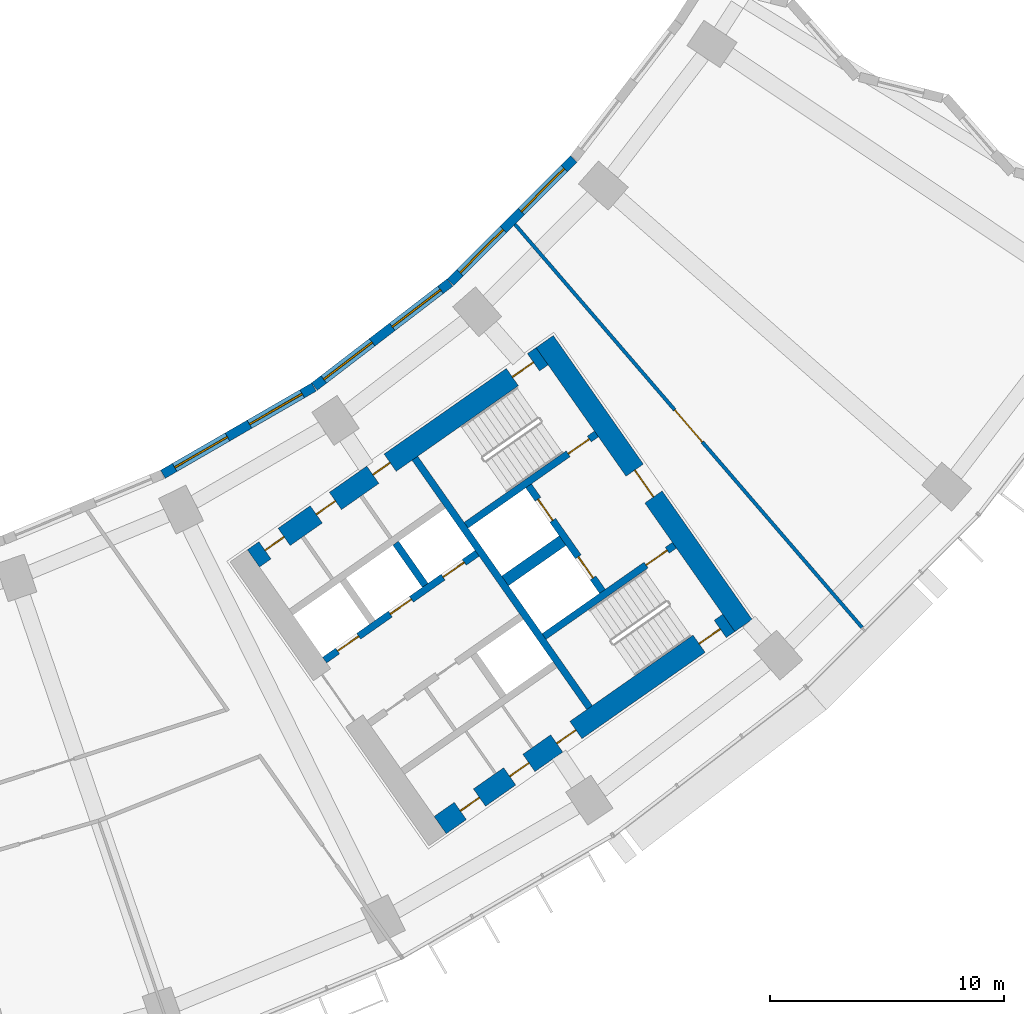
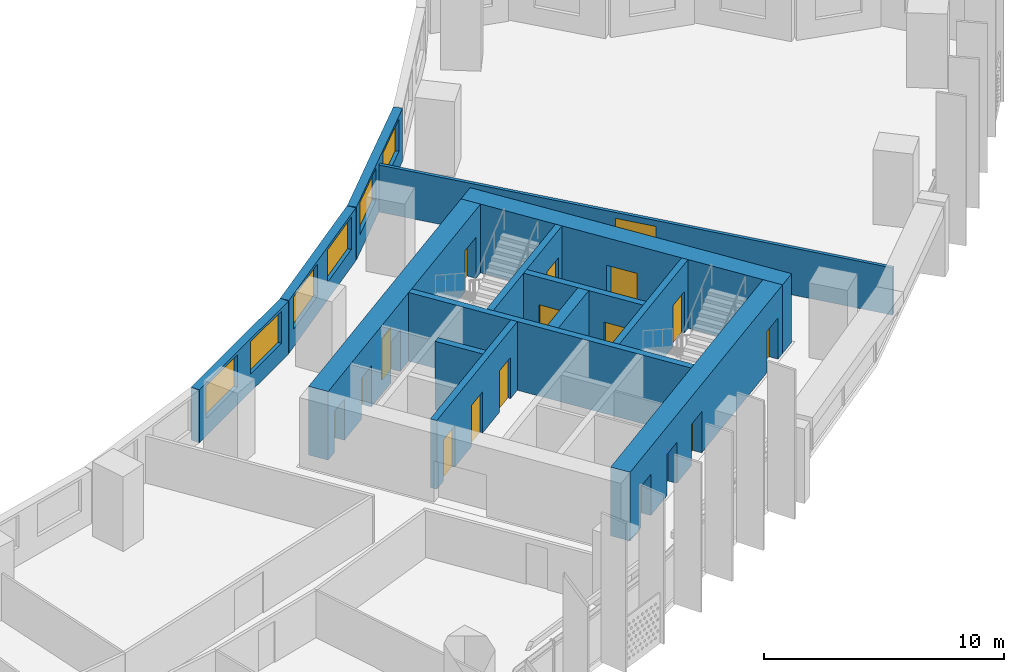
# One storey, part 7 of 32: 17 doors, 14 walls, 6 windows, 23 openings.
"""IFC4 building model written with IfcOpenShell, lengths in metres."""

from ifc_helpers import new_model, si_unit, direction, frame, frame_2d, origin, place, context, subcontext, project, spatial, rectangle, extrude, material, layer, layer_set, type_object, element, fill, save


model = new_model("IFC4")

# Units and contexts
model_context = context("Model", 3, precision=1e-05, world=origin(), true_north=direction((0.0, 1.0)))
body_context = subcontext(model_context, "Body", "Model", "MODEL_VIEW")
ifc_project = project(units=[si_unit("LENGTHUNIT", "METRE"), si_unit("AREAUNIT", "SQUARE_METRE"), si_unit("VOLUMEUNIT", "CUBIC_METRE"), si_unit("PLANEANGLEUNIT", "RADIAN"), si_unit("MASSUNIT", "GRAM", prefix="KILO")], contexts=[model_context])

# Site, building, storey
site_placement = place(None, origin())
site = spatial("IfcSite", under=ifc_project, at=site_placement, CompositionType="ELEMENT")
building_placement = place(site_placement, origin())
building = spatial("IfcBuilding", under=site, at=building_placement, Name="Qamariyya Broadcast Tower", CompositionType="ELEMENT")
storey_placement = place(building_placement, frame((0.0, 0.0, 70.89990234375)))
storey = spatial("IfcBuildingStorey", under=building, at=storey_placement, Name="L14", CompositionType="ELEMENT", Elevation=70.89990234375)

# Wall, opening, door
ifc_material_1 = material(Name="Concrete C70/85", Category="concrete")
ifc_layer_1 = layer(ifc_material_1, 0.89990234375)
ifc_layer_set_1 = layer_set([ifc_layer_1], Name="Core wall 900 mm Concrete C70/85")
wall_type_1 = type_object("IfcWallType", Name="Core wall 900 mm Concrete C70/85", PredefinedType="SHEAR", material=ifc_layer_set_1)
wall_1_placement = place(storey_placement, frame((49.778564453125, -57.191162109375, 0.0), z_axis=(0.0, 0.0, 1.0), x_axis=(-0.573577477574, 0.819151315216, 0.0)))
wall_1 = element("IfcWall", 1, at=wall_1_placement, inside=storey, type_object=wall_type_1, Name="k-E-L14-WH", PredefinedType="SHEAR", context=body_context, shape_type="SweptSolid", body=[
    extrude(rectangle(XDim=14.800048828125, YDim=0.89990234375, at=frame_2d((7.39990234375, 0.0))), origin(), (0.0, 0.0, 1.0), 3.5),
])
opening_1_placement = place(wall_1_placement, frame((6.699951171875, 0.0, 0.0)))
opening_1 = element("IfcOpeningElement", 2, at=opening_1_placement, cuts=wall_1, Name="Opening KD2-E1", PredefinedType="OPENING", context=body_context, shape_type="SweptSolid", body=[
    extrude(rectangle(XDim=1.39990234375, YDim=2.10009765625, at=frame_2d((0.699951171875, 1.050048828125))), frame((0.0, 0.4599609375, 0.0), z_axis=(0.0, -1.0, 0.0), x_axis=(1.0, 0.0, 0.0)), (0.0, 0.0, 1.0), 0.919921875),
])
ifc_material_2 = material(Name="Steel fire-resisting door leaf", Category="steel")
door_type_1 = type_object("IfcDoorType", Name="Fire-fighting lobby door KD2", OperationType="DOUBLE_DOOR_SINGLE_SWING", PredefinedType="DOOR", material=ifc_material_2)
door_1_placement = place(opening_1_placement, origin())
door_1 = element("IfcDoor", 3, at=door_1_placement, inside=storey, type_object=door_type_1, Name="k-E-L14-WH-D15", OperationType="DOUBLE_DOOR_SINGLE_SWING", OverallHeight=2.10009765625, OverallWidth=1.39990234375, PredefinedType="DOOR", context=body_context, shape_type="SweptSolid", body=[
    extrude(rectangle(XDim=1.39990234375, YDim=2.10009765625, at=frame_2d((0.699951171875, 1.050048828125))), frame((0.0, 0.02490234375, 0.0), z_axis=(0.0, -1.0, 0.0), x_axis=(1.0, 0.0, 0.0)), (0.0, 0.0, 1.0), 0.050048828125),
])
fill(opening_1, door_1)

# Wall, openings, doors
wall_2_placement = place(storey_placement, frame((28.8544921875, -54.32421875, 0.0), z_axis=(0.0, 0.0, 1.0), x_axis=(0.819145767589, 0.573585400304, 0.0)))
wall_2 = element("IfcWall", 4, at=wall_2_placement, inside=storey, type_object=wall_type_1, Name="k-E-L14-WI", PredefinedType="SHEAR", context=body_context, shape_type="SweptSolid", body=[
    extrude(rectangle(XDim=15.04541015625, YDim=0.89990234375, at=frame_2d((7.522705078125, 0.0))), origin(), (0.0, 0.0, 1.0), 3.5),
])
opening_2_placement = place(wall_2_placement, frame((0.60009765625, 0.0, 0.0)))
opening_2 = element("IfcOpeningElement", 5, at=opening_2_placement, cuts=wall_2, Name="Opening KD7-E1", PredefinedType="OPENING", context=body_context, shape_type="SweptSolid", body=[
    extrude(rectangle(XDim=1.0, YDim=2.10009765625, at=frame_2d((0.5, 1.050048828125))), frame((0.0, 0.4599609375, 0.0), z_axis=(0.0, -1.0, 0.0), x_axis=(1.0, 0.0, 0.0)), (0.0, 0.0, 1.0), 0.919921875),
])
opening_3_placement = place(wall_2_placement, frame((3.27490234375, 0.0, 0.0)))
opening_3 = element("IfcOpeningElement", 6, at=opening_3_placement, cuts=wall_2, Name="Opening KD6-E2", PredefinedType="OPENING", context=body_context, shape_type="SweptSolid", body=[
    extrude(rectangle(XDim=1.0, YDim=2.10009765625, at=frame_2d((0.5, 1.050048828125))), frame((0.0, 0.4599609375, 0.0), z_axis=(0.0, -1.0, 0.0), x_axis=(1.0, 0.0, 0.0)), (0.0, 0.0, 1.0), 0.919921875),
])
opening_4_placement = place(wall_2_placement, frame((6.22509765625, 0.0, 0.0)))
opening_4 = element("IfcOpeningElement", 7, at=opening_4_placement, cuts=wall_2, Name="Opening KD5-E1", PredefinedType="OPENING", context=body_context, shape_type="SweptSolid", body=[
    extrude(rectangle(XDim=0.89990234375, YDim=2.10009765625, at=frame_2d((0.449951171875, 1.050048828125))), frame((0.0, 0.4599609375, 0.0), z_axis=(0.0, -1.0, 0.0), x_axis=(1.0, 0.0, 0.0)), (0.0, 0.0, 1.0), 0.919921875),
])
opening_5_placement = place(wall_2_placement, frame((13.495361328125, 0.0, 0.0)))
opening_5 = element("IfcOpeningElement", 8, at=opening_5_placement, cuts=wall_2, Name="Opening KD1-E1", PredefinedType="OPENING", context=body_context, shape_type="SweptSolid", body=[
    extrude(rectangle(XDim=1.10009765625, YDim=2.10009765625, at=frame_2d((0.550048828125, 1.050048828125))), frame((0.0, 0.4599609375, 0.0), z_axis=(0.0, -1.0, 0.0), x_axis=(1.0, 0.0, 0.0)), (0.0, 0.0, 1.0), 0.919921875),
])
door_type_2 = type_object("IfcDoorType", Name="Accessible toilet door KD7", OperationType="SINGLE_SWING_LEFT", PredefinedType="DOOR", material=ifc_material_2)
door_2_placement = place(opening_2_placement, origin())
door_2 = element("IfcDoor", 9, at=door_2_placement, inside=storey, type_object=door_type_2, Name="k-E-L14-WI-D7", OperationType="SINGLE_SWING_LEFT", OverallHeight=2.10009765625, OverallWidth=1.0, PredefinedType="DOOR", context=body_context, shape_type="SweptSolid", body=[
    extrude(rectangle(XDim=1.0, YDim=2.10009765625, at=frame_2d((0.5, 1.050048828125))), frame((0.0, 0.02490234375, 0.0), z_axis=(0.0, -1.0, 0.0), x_axis=(1.0, 0.0, 0.0)), (0.0, 0.0, 1.0), 0.050048828125),
])
fill(opening_2, door_2)
door_type_3 = type_object("IfcDoorType", Name="Core room door KD6", OperationType="SINGLE_SWING_LEFT", PredefinedType="DOOR", material=ifc_material_2)
door_3_placement = place(opening_3_placement, origin())
door_3 = element("IfcDoor", 10, at=door_3_placement, inside=storey, type_object=door_type_3, Name="k-E-L14-WI-D8", OperationType="SINGLE_SWING_RIGHT", OverallHeight=2.10009765625, OverallWidth=1.0, PredefinedType="DOOR", context=body_context, shape_type="SweptSolid", body=[
    extrude(rectangle(XDim=1.0, YDim=2.10009765625, at=frame_2d((0.5, 1.050048828125))), frame((0.0, 0.02490234375, 0.0), z_axis=(0.0, -1.0, 0.0), x_axis=(1.0, 0.0, 0.0)), (0.0, 0.0, 1.0), 0.050048828125),
])
fill(opening_3, door_3)
door_type_4 = type_object("IfcDoorType", Name="Stair door KD1", OperationType="SINGLE_SWING_LEFT", PredefinedType="DOOR", material=ifc_material_2)
door_4_placement = place(opening_5_placement, origin())
door_4 = element("IfcDoor", 11, at=door_4_placement, inside=storey, type_object=door_type_4, Name="k-E-L14-WI-D16", OperationType="SINGLE_SWING_RIGHT", OverallHeight=2.10009765625, OverallWidth=1.10009765625, PredefinedType="DOOR", context=body_context, shape_type="SweptSolid", body=[
    extrude(rectangle(XDim=1.10009765625, YDim=2.10009765625, at=frame_2d((0.550048828125, 1.050048828125))), frame((0.0, 0.02490234375, 0.0), z_axis=(0.0, -1.0, 0.0), x_axis=(1.0, 0.0, 0.0)), (0.0, 0.0, 1.0), 0.050048828125),
])
fill(opening_5, door_4)
door_type_5 = type_object("IfcDoorType", Name="Toilet door KD5", OperationType="SINGLE_SWING_LEFT", PredefinedType="DOOR", material=ifc_material_2)
door_5_placement = place(opening_4_placement, origin())
door_5 = element("IfcDoor", 12, at=door_5_placement, inside=storey, type_object=door_type_5, Name="k-E-L14-WI-D9", OperationType="SINGLE_SWING_LEFT", OverallHeight=2.10009765625, OverallWidth=0.89990234375, PredefinedType="DOOR", context=body_context, shape_type="SweptSolid", body=[
    extrude(rectangle(XDim=0.89990234375, YDim=2.10009765625, at=frame_2d((0.449951171875, 1.050048828125))), frame((0.0, 0.02490234375, 0.0), z_axis=(0.0, -1.0, 0.0), x_axis=(1.0, 0.0, 0.0)), (0.0, 0.0, 1.0), 0.050048828125),
])
fill(opening_4, door_5)

wall_3_placement = place(storey_placement, frame((36.827392578125, -65.710205078125, 0.0), z_axis=(0.0, 0.0, 1.0), x_axis=(0.819153391756, 0.573574511963, 0.0)))
wall_3 = element("IfcWall", 13, at=wall_3_placement, inside=storey, type_object=wall_type_1, Name="k-E-L14-WO", PredefinedType="SHEAR", context=body_context, shape_type="SweptSolid", body=[
    extrude(rectangle(XDim=15.04541015625, YDim=0.89990234375, at=frame_2d((7.522705078125, 0.0))), origin(), (0.0, 0.0, 1.0), 3.5),
])
opening_6_placement = place(wall_3_placement, frame((1.050048828125, 0.0, 0.0)))
opening_6 = element("IfcOpeningElement", 14, at=opening_6_placement, cuts=wall_3, Name="Opening KD4-E2", PredefinedType="OPENING", context=body_context, shape_type="SweptSolid", body=[
    extrude(rectangle(XDim=1.0, YDim=2.10009765625, at=frame_2d((0.5, 1.050048828125))), frame((0.0, 0.4599609375, 0.0), z_axis=(0.0, -1.0, 0.0), x_axis=(1.0, 0.0, 0.0)), (0.0, 0.0, 1.0), 0.919921875),
])
opening_7_placement = place(wall_3_placement, frame((3.625, 0.0, 0.0)))
opening_7 = element("IfcOpeningElement", 15, at=opening_7_placement, cuts=wall_3, Name="Opening KD4-E3", PredefinedType="OPENING", context=body_context, shape_type="SweptSolid", body=[
    extrude(rectangle(XDim=1.0, YDim=2.10009765625, at=frame_2d((0.5, 1.050048828125))), frame((0.0, 0.4599609375, 0.0), z_axis=(0.0, -1.0, 0.0), x_axis=(1.0, 0.0, 0.0)), (0.0, 0.0, 1.0), 0.919921875),
])
opening_8_placement = place(wall_3_placement, frame((6.074951171875, 0.0, 0.0)))
opening_8 = element("IfcOpeningElement", 16, at=opening_8_placement, cuts=wall_3, Name="Opening KD6-E3", PredefinedType="OPENING", context=body_context, shape_type="SweptSolid", body=[
    extrude(rectangle(XDim=1.0, YDim=2.10009765625, at=frame_2d((0.5, 1.050048828125))), frame((0.0, 0.4599609375, 0.0), z_axis=(0.0, -1.0, 0.0), x_axis=(1.0, 0.0, 0.0)), (0.0, 0.0, 1.0), 0.919921875),
])
opening_9_placement = place(wall_3_placement, frame((13.495361328125, 0.0, 0.0)))
opening_9 = element("IfcOpeningElement", 17, at=opening_9_placement, cuts=wall_3, Name="Opening KD1-E3", PredefinedType="OPENING", context=body_context, shape_type="SweptSolid", body=[
    extrude(rectangle(XDim=1.10009765625, YDim=2.10009765625, at=frame_2d((0.550048828125, 1.050048828125))), frame((0.0, 0.4599609375, 0.0), z_axis=(0.0, -1.0, 0.0), x_axis=(1.0, 0.0, 0.0)), (0.0, 0.0, 1.0), 0.919921875),
])
door_6_placement = place(opening_8_placement, origin())
door_6 = element("IfcDoor", 18, at=door_6_placement, inside=storey, type_object=door_type_3, Name="k-E-L14-WO-D12", OperationType="SINGLE_SWING_RIGHT", OverallHeight=2.10009765625, OverallWidth=1.0, PredefinedType="DOOR", context=body_context, shape_type="SweptSolid", body=[
    extrude(rectangle(XDim=1.0, YDim=2.10009765625, at=frame_2d((0.5, 1.050048828125))), frame((0.0, 0.02490234375, 0.0), z_axis=(0.0, -1.0, 0.0), x_axis=(1.0, 0.0, 0.0)), (0.0, 0.0, 1.0), 0.050048828125),
])
fill(opening_8, door_6)
door_type_6 = type_object("IfcDoorType", Name="Riser and plant door KD4", OperationType="SINGLE_SWING_LEFT", PredefinedType="DOOR", material=ifc_material_2)
door_7_placement = place(opening_6_placement, origin())
door_7 = element("IfcDoor", 19, at=door_7_placement, inside=storey, type_object=door_type_6, Name="k-E-L14-WO-D10", OperationType="SINGLE_SWING_RIGHT", OverallHeight=2.10009765625, OverallWidth=1.0, PredefinedType="DOOR", context=body_context, shape_type="SweptSolid", body=[
    extrude(rectangle(XDim=1.0, YDim=2.10009765625, at=frame_2d((0.5, 1.050048828125))), frame((0.0, 0.02490234375, 0.0), z_axis=(0.0, -1.0, 0.0), x_axis=(1.0, 0.0, 0.0)), (0.0, 0.0, 1.0), 0.050048828125),
])
fill(opening_6, door_7)
door_8_placement = place(opening_7_placement, origin())
door_8 = element("IfcDoor", 20, at=door_8_placement, inside=storey, type_object=door_type_6, Name="k-E-L14-WO-D11", OperationType="SINGLE_SWING_LEFT", OverallHeight=2.10009765625, OverallWidth=1.0, PredefinedType="DOOR", context=body_context, shape_type="SweptSolid", body=[
    extrude(rectangle(XDim=1.0, YDim=2.10009765625, at=frame_2d((0.5, 1.050048828125))), frame((0.0, 0.02490234375, 0.0), z_axis=(0.0, -1.0, 0.0), x_axis=(1.0, 0.0, 0.0)), (0.0, 0.0, 1.0), 0.050048828125),
])
fill(opening_7, door_8)
door_9_placement = place(opening_9_placement, origin())
door_9 = element("IfcDoor", 21, at=door_9_placement, inside=storey, type_object=door_type_4, Name="k-E-L14-WO-D18", OperationType="SINGLE_SWING_LEFT", OverallHeight=2.10009765625, OverallWidth=1.10009765625, PredefinedType="DOOR", context=body_context, shape_type="SweptSolid", body=[
    extrude(rectangle(XDim=1.10009765625, YDim=2.10009765625, at=frame_2d((0.550048828125, 1.050048828125))), frame((0.0, 0.02490234375, 0.0), z_axis=(0.0, -1.0, 0.0), x_axis=(1.0, 0.0, 0.0)), (0.0, 0.0, 1.0), 0.050048828125),
])
fill(opening_9, door_9)

# Wall, opening, door
ifc_material_3 = material(Name="Gypsum board partition")
ifc_layer_2 = layer(ifc_material_3, 0.14990234375)
ifc_layer_set_2 = layer_set([ifc_layer_2], Name="Corridor partition 150 EI 60")
wall_type_2 = type_object("IfcWallType", Name="Corridor partition 150 EI 60", PredefinedType="PARTITIONING", material=ifc_layer_set_2)
wall_4_placement = place(storey_placement, frame((40.021240234375, -40.063232421875, 0.0), z_axis=(0.0, 0.0, 1.0), x_axis=(0.652471531746, -0.757813235739, 0.0)))
wall_4 = element("IfcWall", 22, at=wall_4_placement, inside=storey, type_object=wall_type_2, Name="Partition L14-027", PredefinedType="PARTITIONING", context=body_context, shape_type="SweptSolid", body=[
    extrude(rectangle(XDim=22.71484375, YDim=0.14990234375, at=frame_2d((11.357421875, 0.0))), origin(), (0.0, 0.0, 1.0), 2.400146484375),
])
opening_10_placement = place(wall_4_placement, frame((10.45751953125, 0.0, 0.0)))
opening_10 = element("IfcOpeningElement", 23, at=opening_10_placement, cuts=wall_4, Name="Opening L14-D13", PredefinedType="OPENING", context=body_context, shape_type="SweptSolid", body=[
    extrude(rectangle(XDim=1.800048828125, YDim=2.10009765625, at=frame_2d((0.89990234375, 1.050048828125))), frame((0.0, 0.0849609375, 0.0), z_axis=(0.0, -1.0, 0.0), x_axis=(1.0, 0.0, 0.0)), (0.0, 0.0, 1.0), 0.169921875),
])
ifc_material_4 = material(Name="Timber fire door leaf", Category="wood")
door_type_7 = type_object("IfcDoorType", Name="Double fire door 1800 x 2100 FD60", OperationType="NOTDEFINED", PredefinedType="DOOR", material=ifc_material_4)
door_10_placement = place(opening_10_placement, origin())
door_10 = element("IfcDoor", 24, at=door_10_placement, inside=storey, type_object=door_type_7, Name="Door L14-D13", OperationType="DOUBLE_DOOR_SINGLE_SWING", OverallHeight=2.10009765625, OverallWidth=1.800048828125, PredefinedType="DOOR", context=body_context, shape_type="SweptSolid", body=[
    extrude(rectangle(XDim=1.800048828125, YDim=2.10009765625, at=frame_2d((0.89990234375, 1.050048828125))), frame((0.0, 0.02490234375, 0.0), z_axis=(0.0, -1.0, 0.0), x_axis=(1.0, 0.0, 0.0)), (0.0, 0.0, 1.0), 0.050048828125),
])
fill(opening_10, door_10)

# Walls
ifc_material_5 = material(Name="Concrete C60/75", Category="concrete")
ifc_layer_3 = layer(ifc_material_5, 0.5)
ifc_layer_set_3 = layer_set([ifc_layer_3], Name="Fire-fighting lobby divider wall 500 mm Concrete C60/75")
wall_type_3 = type_object("IfcWallType", Name="Fire-fighting lobby divider wall 500 mm Concrete C60/75", PredefinedType="SOLIDWALL", material=ifc_layer_set_3)
wall_5_placement = place(storey_placement, frame((39.59912109375, -55.28515625, 0.0), z_axis=(0.0, 0.0, 1.0), x_axis=(0.819136323161, 0.573598887793, 0.0)))
element("IfcWall", 25, at=wall_5_placement, inside=storey, type_object=wall_type_3, Name="k-E-L14-FD", PredefinedType="SOLIDWALL", context=body_context, shape_type="SweptSolid", body=[
    extrude(rectangle(XDim=2.999755859375, YDim=0.5, at=frame_2d((1.5, 0.0))), origin(), (0.0, 0.0, 1.0), 3.5),
])
ifc_layer_4 = layer(ifc_material_5, 0.300048828125)
ifc_layer_set_4 = layer_set([ifc_layer_4], Name="Lift shaft wall 300 mm Concrete C60/75")
wall_type_4 = type_object("IfcWallType", Name="Lift shaft wall 300 mm Concrete C60/75", PredefinedType="SOLIDWALL", material=ifc_layer_set_4)
wall_6_placement = place(storey_placement, frame((43.204345703125, -60.69580078125, 0.0), z_axis=(0.0, 0.0, 1.0), x_axis=(-0.573571992966, 0.819155155563, 0.0)))
element("IfcWall", 26, at=wall_6_placement, inside=storey, type_object=wall_type_4, Name="k-E-L14-WL", PredefinedType="SOLIDWALL", context=body_context, shape_type="SweptSolid", body=[
    extrude(rectangle(XDim=13.000244140625, YDim=0.300048828125, at=frame_2d((6.5, 0.0))), origin(), (0.0, 0.0, 1.0), 3.5),
])

# Wall, openings, doors
wall_7_placement = place(storey_placement, frame((31.89453125, -58.66552734375, 0.0), z_axis=(0.0, 0.0, 1.0), x_axis=(0.819166993208, 0.573555086491, 0.0)))
wall_7 = element("IfcWall", 27, at=wall_7_placement, inside=storey, type_object=wall_type_4, Name="k-E-L14-NF0", PredefinedType="SOLIDWALL", context=body_context, shape_type="SweptSolid", body=[
    extrude(rectangle(XDim=7.9501953125, YDim=0.300048828125, at=frame_2d((3.97509765625, 0.0))), origin(), (0.0, 0.0, 1.0), 3.5),
])
opening_11_placement = place(wall_7_placement, frame((0.675048828125, 0.0, 0.0)))
opening_11 = element("IfcOpeningElement", 28, at=opening_11_placement, cuts=wall_7, Name="Opening LD", PredefinedType="OPENING", context=body_context, shape_type="SweptSolid", body=[
    extrude(rectangle(XDim=1.10009765625, YDim=2.10009765625, at=frame_2d((0.550048828125, 1.050048828125))), frame((0.0, 0.159912109375, 0.0), z_axis=(0.0, -1.0, 0.0), x_axis=(1.0, 0.0, 0.0)), (0.0, 0.0, 1.0), 0.320068359375),
])
opening_12_placement = place(wall_7_placement, frame((3.425048828125, 0.0, 0.0)))
opening_12 = element("IfcOpeningElement", 29, at=opening_12_placement, cuts=wall_7, Name="Opening LD", PredefinedType="OPENING", context=body_context, shape_type="SweptSolid", body=[
    extrude(rectangle(XDim=1.10009765625, YDim=2.10009765625, at=frame_2d((0.550048828125, 1.050048828125))), frame((0.0, 0.159912109375, 0.0), z_axis=(0.0, -1.0, 0.0), x_axis=(1.0, 0.0, 0.0)), (0.0, 0.0, 1.0), 0.320068359375),
])
opening_13_placement = place(wall_7_placement, frame((6.175048828125, 0.0, 0.0)))
opening_13 = element("IfcOpeningElement", 30, at=opening_13_placement, cuts=wall_7, Name="Opening LD", PredefinedType="OPENING", context=body_context, shape_type="SweptSolid", body=[
    extrude(rectangle(XDim=1.10009765625, YDim=2.10009765625, at=frame_2d((0.550048828125, 1.050048828125))), frame((0.0, 0.159912109375, 0.0), z_axis=(0.0, -1.0, 0.0), x_axis=(1.0, 0.0, 0.0)), (0.0, 0.0, 1.0), 0.320068359375),
])
door_type_8 = type_object("IfcDoorType", Name="Lift landing door LD", OperationType="DOUBLE_DOOR_SLIDING", PredefinedType="DOOR", material=ifc_material_2)
door_11_placement = place(opening_11_placement, origin())
door_11 = element("IfcDoor", 31, at=door_11_placement, inside=storey, type_object=door_type_8, Name="k-E-L14-NF0-D2", OperationType="DOUBLE_DOOR_SLIDING", OverallHeight=2.10009765625, OverallWidth=1.10009765625, PredefinedType="DOOR", context=body_context, shape_type="SweptSolid", body=[
    extrude(rectangle(XDim=1.10009765625, YDim=2.10009765625, at=frame_2d((0.550048828125, 1.050048828125))), frame((0.0, 0.02490234375, 0.0), z_axis=(0.0, -1.0, 0.0), x_axis=(1.0, 0.0, 0.0)), (0.0, 0.0, 1.0), 0.050048828125),
])
fill(opening_11, door_11)
door_12_placement = place(opening_12_placement, origin())
door_12 = element("IfcDoor", 32, at=door_12_placement, inside=storey, type_object=door_type_8, Name="k-E-L14-NF0-D3", OperationType="DOUBLE_DOOR_SLIDING", OverallHeight=2.10009765625, OverallWidth=1.10009765625, PredefinedType="DOOR", context=body_context, shape_type="SweptSolid", body=[
    extrude(rectangle(XDim=1.10009765625, YDim=2.10009765625, at=frame_2d((0.550048828125, 1.050048828125))), frame((0.0, 0.02490234375, 0.0), z_axis=(0.0, -1.0, 0.0), x_axis=(1.0, 0.0, 0.0)), (0.0, 0.0, 1.0), 0.050048828125),
])
fill(opening_12, door_12)
door_13_placement = place(opening_13_placement, origin())
door_13 = element("IfcDoor", 33, at=door_13_placement, inside=storey, type_object=door_type_8, Name="k-E-L14-NF0-D4", OperationType="DOUBLE_DOOR_SLIDING", OverallHeight=2.10009765625, OverallWidth=1.10009765625, PredefinedType="DOOR", context=body_context, shape_type="SweptSolid", body=[
    extrude(rectangle(XDim=1.10009765625, YDim=2.10009765625, at=frame_2d((0.550048828125, 1.050048828125))), frame((0.0, 0.02490234375, 0.0), z_axis=(0.0, -1.0, 0.0), x_axis=(1.0, 0.0, 0.0)), (0.0, 0.0, 1.0), 0.050048828125),
])
fill(opening_13, door_13)

# Wall
wall_8_placement = place(storey_placement, frame((36.19091796875, -55.47412109375, 0.0), z_axis=(0.0, 0.0, 1.0), x_axis=(-0.573507030513, 0.819200638399, 0.0)))
element("IfcWall", 34, at=wall_8_placement, inside=storey, type_object=wall_type_4, Name="k-E-L14-ND1", PredefinedType="SOLIDWALL", context=body_context, shape_type="SweptSolid", body=[
    extrude(rectangle(XDim=2.199951171875, YDim=0.300048828125, at=frame_2d((1.10009765625, 0.0))), origin(), (0.0, 0.0, 1.0), 3.5),
])

# Wall, opening, door
wall_9_placement = place(storey_placement, frame((37.935546875, -52.90966796875, 0.0), z_axis=(0.0, 0.0, 1.0), x_axis=(0.819147518138, 0.57358290031, 0.0)))
wall_9 = element("IfcWall", 35, at=wall_9_placement, inside=storey, type_object=wall_type_4, Name="k-E-L14-NW", PredefinedType="SOLIDWALL", context=body_context, shape_type="SweptSolid", body=[
    extrude(rectangle(XDim=6.79541015625, YDim=0.300048828125, at=frame_2d((3.397705078125, 0.0))), origin(), (0.0, 0.0, 1.0), 3.5),
])
opening_14_placement = place(wall_9_placement, frame((5.3203125, 0.0, 0.0)))
opening_14 = element("IfcOpeningElement", 36, at=opening_14_placement, cuts=wall_9, Name="Opening KD1-E2", PredefinedType="OPENING", context=body_context, shape_type="SweptSolid", body=[
    extrude(rectangle(XDim=1.10009765625, YDim=2.10009765625, at=frame_2d((0.550048828125, 1.050048828125))), frame((0.0, 0.159912109375, 0.0), z_axis=(0.0, -1.0, 0.0), x_axis=(1.0, 0.0, 0.0)), (0.0, 0.0, 1.0), 0.320068359375),
])
door_14_placement = place(opening_14_placement, origin())
door_14 = element("IfcDoor", 37, at=door_14_placement, inside=storey, type_object=door_type_4, Name="k-E-L14-NW-D17", OperationType="SINGLE_SWING_LEFT", OverallHeight=2.10009765625, OverallWidth=1.10009765625, PredefinedType="DOOR", context=body_context, shape_type="SweptSolid", body=[
    extrude(rectangle(XDim=1.10009765625, YDim=2.10009765625, at=frame_2d((0.550048828125, 1.050048828125))), frame((0.0, 0.02490234375, 0.0), z_axis=(0.0, -1.0, 0.0), x_axis=(1.0, 0.0, 0.0)), (0.0, 0.0, 1.0), 0.050048828125),
])
fill(opening_14, door_14)

wall_10_placement = place(storey_placement, frame((41.262451171875, -57.66064453125, 0.0), z_axis=(0.0, 0.0, 1.0), x_axis=(0.819164398642, 0.573558792102, 0.0)))
wall_10 = element("IfcWall", 38, at=wall_10_placement, inside=storey, type_object=wall_type_4, Name="k-E-L14-SW", PredefinedType="SOLIDWALL", context=body_context, shape_type="SweptSolid", body=[
    extrude(rectangle(XDim=6.795166015625, YDim=0.300048828125, at=frame_2d((3.3974609375, 0.0))), origin(), (0.0, 0.0, 1.0), 3.5),
])
opening_15_placement = place(wall_10_placement, frame((5.3203125, 0.0, 0.0)))
opening_15 = element("IfcOpeningElement", 39, at=opening_15_placement, cuts=wall_10, Name="Opening KD1-E4", PredefinedType="OPENING", context=body_context, shape_type="SweptSolid", body=[
    extrude(rectangle(XDim=1.10009765625, YDim=2.10009765625, at=frame_2d((0.550048828125, 1.050048828125))), frame((0.0, 0.159912109375, 0.0), z_axis=(0.0, -1.0, 0.0), x_axis=(1.0, 0.0, 0.0)), (0.0, 0.0, 1.0), 0.320068359375),
])
door_15_placement = place(opening_15_placement, origin())
door_15 = element("IfcDoor", 40, at=door_15_placement, inside=storey, type_object=door_type_4, Name="k-E-L14-SW-D19", OperationType="SINGLE_SWING_LEFT", OverallHeight=2.10009765625, OverallWidth=1.10009765625, PredefinedType="DOOR", context=body_context, shape_type="SweptSolid", body=[
    extrude(rectangle(XDim=1.10009765625, YDim=2.10009765625, at=frame_2d((0.550048828125, 1.050048828125))), frame((0.0, 0.02490234375, 0.0), z_axis=(0.0, -1.0, 0.0), x_axis=(1.0, 0.0, 0.0)), (0.0, 0.0, 1.0), 0.050048828125),
])
fill(opening_15, door_15)

# Wall, openings, doors
wall_11_placement = place(storey_placement, frame((43.756591796875, -55.731201171875, 0.0), z_axis=(0.0, 0.0, 1.0), x_axis=(-0.573536818435, 0.819179783625, 0.0)))
wall_11 = element("IfcWall", 41, at=wall_11_placement, inside=storey, type_object=wall_type_4, Name="k-E-L14-FF", PredefinedType="SOLIDWALL", context=body_context, shape_type="SweptSolid", body=[
    extrude(rectangle(XDim=5.500244140625, YDim=0.300048828125, at=frame_2d((2.75, 0.0))), origin(), (0.0, 0.0, 1.0), 3.5),
])
opening_16_placement = place(wall_11_placement, frame((0.699951171875, 0.0, 0.0)))
opening_16 = element("IfcOpeningElement", 42, at=opening_16_placement, cuts=wall_11, Name="Opening LD", PredefinedType="OPENING", context=body_context, shape_type="SweptSolid", body=[
    extrude(rectangle(XDim=1.10009765625, YDim=2.10009765625, at=frame_2d((0.550048828125, 1.050048828125))), frame((0.0, 0.159912109375, 0.0), z_axis=(0.0, -1.0, 0.0), x_axis=(1.0, 0.0, 0.0)), (0.0, 0.0, 1.0), 0.320068359375),
])
opening_17_placement = place(wall_11_placement, frame((3.699951171875, 0.0, 0.0)))
opening_17 = element("IfcOpeningElement", 43, at=opening_17_placement, cuts=wall_11, Name="Opening LD", PredefinedType="OPENING", context=body_context, shape_type="SweptSolid", body=[
    extrude(rectangle(XDim=1.10009765625, YDim=2.10009765625, at=frame_2d((0.550048828125, 1.050048828125))), frame((0.0, 0.159912109375, 0.0), z_axis=(0.0, -1.0, 0.0), x_axis=(1.0, 0.0, 0.0)), (0.0, 0.0, 1.0), 0.320068359375),
])
door_16_placement = place(opening_16_placement, origin())
door_16 = element("IfcDoor", 44, at=door_16_placement, inside=storey, type_object=door_type_8, Name="k-E-L14-FF-D13", OperationType="DOUBLE_DOOR_SLIDING", OverallHeight=2.10009765625, OverallWidth=1.10009765625, PredefinedType="DOOR", context=body_context, shape_type="SweptSolid", body=[
    extrude(rectangle(XDim=1.10009765625, YDim=2.10009765625, at=frame_2d((0.550048828125, 1.050048828125))), frame((0.0, 0.02490234375, 0.0), z_axis=(0.0, -1.0, 0.0), x_axis=(1.0, 0.0, 0.0)), (0.0, 0.0, 1.0), 0.050048828125),
])
fill(opening_16, door_16)
door_17_placement = place(opening_17_placement, origin())
door_17 = element("IfcDoor", 45, at=door_17_placement, inside=storey, type_object=door_type_8, Name="k-E-L14-FF-D14", OperationType="DOUBLE_DOOR_SLIDING", OverallHeight=2.10009765625, OverallWidth=1.10009765625, PredefinedType="DOOR", context=body_context, shape_type="SweptSolid", body=[
    extrude(rectangle(XDim=1.10009765625, YDim=2.10009765625, at=frame_2d((0.550048828125, 1.050048828125))), frame((0.0, 0.02490234375, 0.0), z_axis=(0.0, -1.0, 0.0), x_axis=(1.0, 0.0, 0.0)), (0.0, 0.0, 1.0), 0.050048828125),
])
fill(opening_17, door_17)

# Wall, openings, windows
ifc_material_6 = material(Name="Terracotta", Category="masonry")
ifc_layer_5 = layer(ifc_material_6, 0.39990234375)
ifc_layer_set_5 = layer_set([ifc_layer_5], Name="Terracotta clad wall 400")
wall_type_5 = type_object("IfcWallType", Name="Terracotta clad wall 400", PredefinedType="SOLIDWALL", material=ifc_layer_set_5)
wall_12_placement = place(storey_placement, frame((31.439453125, -47.007568359375, 0.0), z_axis=(0.0, 0.0, 1.0), x_axis=(-0.866037641005, -0.499978803913, 0.0)))
wall_12 = element("IfcWall", 46, at=wall_12_placement, inside=storey, type_object=wall_type_5, Name="e-wl-L14-in120", PredefinedType="SOLIDWALL", context=body_context, shape_type="SweptSolid", body=[
    extrude(rectangle(XDim=7.447021484375, YDim=0.39990234375, at=frame_2d((3.7236328125, 0.0))), origin(), (0.0, 0.0, 1.0), 2.7001953125),
])
opening_18_placement = place(wall_12_placement, frame((4.266357421875, 0.0, 0.89990234375)))
opening_18 = element("IfcOpeningElement", 47, at=opening_18_placement, cuts=wall_12, Name="Opening W1", PredefinedType="OPENING", context=body_context, shape_type="SweptSolid", body=[
    extrude(rectangle(XDim=2.60009765625, YDim=1.64990234375, at=frame_2d((1.300048828125, 0.824951171875))), frame((0.0, 0.2099609375, 0.0), z_axis=(0.0, -1.0, 0.0), x_axis=(1.0, 0.0, 0.0)), (0.0, 0.0, 1.0), 0.419921875),
])
opening_19_placement = place(wall_12_placement, frame((0.580810546875, 0.0, 0.89990234375)))
opening_19 = element("IfcOpeningElement", 48, at=opening_19_placement, cuts=wall_12, Name="Opening W1", PredefinedType="OPENING", context=body_context, shape_type="SweptSolid", body=[
    extrude(rectangle(XDim=2.60009765625, YDim=1.64990234375, at=frame_2d((1.300048828125, 0.824951171875))), frame((0.0, 0.2099609375, 0.0), z_axis=(0.0, -1.0, 0.0), x_axis=(1.0, 0.0, 0.0)), (0.0, 0.0, 1.0), 0.419921875),
])
ifc_material_7 = material(Name="Clear low-e double glazed unit in aluminium frame", Category="aluminium")
window_type = type_object("IfcWindowType", Name="Ribbon window 2600 x 1650", PartitioningType="SINGLE_PANEL", PredefinedType="WINDOW", material=ifc_material_7)
window_1_placement = place(opening_18_placement, origin())
window_1 = element("IfcWindow", 49, at=window_1_placement, inside=storey, type_object=window_type, Name="e-w-L14-in12-0", OverallHeight=1.64990234375, OverallWidth=2.60009765625, PartitioningType="SINGLE_PANEL", PredefinedType="WINDOW", context=body_context, shape_type="SweptSolid", body=[
    extrude(rectangle(XDim=2.60009765625, YDim=1.64990234375, at=frame_2d((1.300048828125, 0.824951171875))), frame((0.0, 0.030029296875, 0.0), z_axis=(0.0, -1.0, 0.0), x_axis=(1.0, 0.0, 0.0)), (0.0, 0.0, 1.0), 0.06005859375),
])
fill(opening_18, window_1)
window_2_placement = place(opening_19_placement, origin())
window_2 = element("IfcWindow", 50, at=window_2_placement, inside=storey, type_object=window_type, Name="e-w-L14-in12-1", OverallHeight=1.64990234375, OverallWidth=2.60009765625, PartitioningType="SINGLE_PANEL", PredefinedType="WINDOW", context=body_context, shape_type="SweptSolid", body=[
    extrude(rectangle(XDim=2.60009765625, YDim=1.64990234375, at=frame_2d((1.300048828125, 0.824951171875))), frame((0.0, 0.030029296875, 0.0), z_axis=(0.0, -1.0, 0.0), x_axis=(1.0, 0.0, 0.0)), (0.0, 0.0, 1.0), 0.06005859375),
])
fill(opening_19, window_2)

wall_13_placement = place(storey_placement, frame((37.24609375, -42.5478515625, 0.0), z_axis=(0.0, 0.0, 1.0), x_axis=(-0.79336607943, -0.60874482668, 0.0)))
wall_13 = element("IfcWall", 51, at=wall_13_placement, inside=storey, type_object=wall_type_5, Name="e-wl-L14-in130", PredefinedType="SOLIDWALL", context=body_context, shape_type="SweptSolid", body=[
    extrude(rectangle(XDim=7.295654296875, YDim=0.39990234375, at=frame_2d((3.64794921875, 0.0))), origin(), (0.0, 0.0, 1.0), 2.7001953125),
])
opening_20_placement = place(wall_13_placement, frame((4.190673828125, 0.0, 0.89990234375)))
opening_20 = element("IfcOpeningElement", 52, at=opening_20_placement, cuts=wall_13, Name="Opening W1", PredefinedType="OPENING", context=body_context, shape_type="SweptSolid", body=[
    extrude(rectangle(XDim=2.60009765625, YDim=1.64990234375, at=frame_2d((1.300048828125, 0.824951171875))), frame((0.0, 0.2099609375, 0.0), z_axis=(0.0, -1.0, 0.0), x_axis=(1.0, 0.0, 0.0)), (0.0, 0.0, 1.0), 0.419921875),
])
opening_21_placement = place(wall_13_placement, frame((0.505126953125, 0.0, 0.89990234375)))
opening_21 = element("IfcOpeningElement", 53, at=opening_21_placement, cuts=wall_13, Name="Opening W1", PredefinedType="OPENING", context=body_context, shape_type="SweptSolid", body=[
    extrude(rectangle(XDim=2.60009765625, YDim=1.64990234375, at=frame_2d((1.300048828125, 0.824951171875))), frame((0.0, 0.2099609375, 0.0), z_axis=(0.0, -1.0, 0.0), x_axis=(1.0, 0.0, 0.0)), (0.0, 0.0, 1.0), 0.419921875),
])
window_3_placement = place(opening_20_placement, origin())
window_3 = element("IfcWindow", 54, at=window_3_placement, inside=storey, type_object=window_type, Name="e-w-L14-in13-0", OverallHeight=1.64990234375, OverallWidth=2.60009765625, PartitioningType="SINGLE_PANEL", PredefinedType="WINDOW", context=body_context, shape_type="SweptSolid", body=[
    extrude(rectangle(XDim=2.60009765625, YDim=1.64990234375, at=frame_2d((1.300048828125, 0.824951171875))), frame((0.0, 0.030029296875, 0.0), z_axis=(0.0, -1.0, 0.0), x_axis=(1.0, 0.0, 0.0)), (0.0, 0.0, 1.0), 0.06005859375),
])
fill(opening_20, window_3)
window_4_placement = place(opening_21_placement, origin())
window_4 = element("IfcWindow", 55, at=window_4_placement, inside=storey, type_object=window_type, Name="e-w-L14-in13-1", OverallHeight=1.64990234375, OverallWidth=2.60009765625, PartitioningType="SINGLE_PANEL", PredefinedType="WINDOW", context=body_context, shape_type="SweptSolid", body=[
    extrude(rectangle(XDim=2.60009765625, YDim=1.64990234375, at=frame_2d((1.300048828125, 0.824951171875))), frame((0.0, 0.030029296875, 0.0), z_axis=(0.0, -1.0, 0.0), x_axis=(1.0, 0.0, 0.0)), (0.0, 0.0, 1.0), 0.06005859375),
])
fill(opening_21, window_4)

wall_14_placement = place(storey_placement, frame((42.534423828125, -37.2685546875, 0.0), z_axis=(0.0, 0.0, 1.0), x_axis=(-0.707106781187, -0.707106781187, 0.0)))
wall_14 = element("IfcWall", 56, at=wall_14_placement, inside=storey, type_object=wall_type_5, Name="e-wl-L14-in140", PredefinedType="SOLIDWALL", context=body_context, shape_type="SweptSolid", body=[
    extrude(rectangle(XDim=7.447021484375, YDim=0.39990234375, at=frame_2d((3.7236328125, 0.0))), origin(), (0.0, 0.0, 1.0), 2.7001953125),
])
opening_22_placement = place(wall_14_placement, frame((4.266357421875, 0.0, 0.89990234375)))
opening_22 = element("IfcOpeningElement", 57, at=opening_22_placement, cuts=wall_14, Name="Opening W1", PredefinedType="OPENING", context=body_context, shape_type="SweptSolid", body=[
    extrude(rectangle(XDim=2.60009765625, YDim=1.64990234375, at=frame_2d((1.300048828125, 0.824951171875))), frame((0.0, 0.2099609375, 0.0), z_axis=(0.0, -1.0, 0.0), x_axis=(1.0, 0.0, 0.0)), (0.0, 0.0, 1.0), 0.419921875),
])
opening_23_placement = place(wall_14_placement, frame((0.580810546875, 0.0, 0.89990234375)))
opening_23 = element("IfcOpeningElement", 58, at=opening_23_placement, cuts=wall_14, Name="Opening W1", PredefinedType="OPENING", context=body_context, shape_type="SweptSolid", body=[
    extrude(rectangle(XDim=2.60009765625, YDim=1.64990234375, at=frame_2d((1.300048828125, 0.824951171875))), frame((0.0, 0.2099609375, 0.0), z_axis=(0.0, -1.0, 0.0), x_axis=(1.0, 0.0, 0.0)), (0.0, 0.0, 1.0), 0.419921875),
])
window_5_placement = place(opening_22_placement, origin())
window_5 = element("IfcWindow", 59, at=window_5_placement, inside=storey, type_object=window_type, Name="e-w-L14-in14-0", OverallHeight=1.64990234375, OverallWidth=2.60009765625, PartitioningType="SINGLE_PANEL", PredefinedType="WINDOW", context=body_context, shape_type="SweptSolid", body=[
    extrude(rectangle(XDim=2.60009765625, YDim=1.64990234375, at=frame_2d((1.300048828125, 0.824951171875))), frame((0.0, 0.030029296875, 0.0), z_axis=(0.0, -1.0, 0.0), x_axis=(1.0, 0.0, 0.0)), (0.0, 0.0, 1.0), 0.06005859375),
])
fill(opening_22, window_5)
window_6_placement = place(opening_23_placement, origin())
window_6 = element("IfcWindow", 60, at=window_6_placement, inside=storey, type_object=window_type, Name="e-w-L14-in14-1", OverallHeight=1.64990234375, OverallWidth=2.60009765625, PartitioningType="SINGLE_PANEL", PredefinedType="WINDOW", context=body_context, shape_type="SweptSolid", body=[
    extrude(rectangle(XDim=2.60009765625, YDim=1.64990234375, at=frame_2d((1.300048828125, 0.824951171875))), frame((0.0, 0.030029296875, 0.0), z_axis=(0.0, -1.0, 0.0), x_axis=(1.0, 0.0, 0.0)), (0.0, 0.0, 1.0), 0.06005859375),
])
fill(opening_23, window_6)

save(model, "model.ifc")
